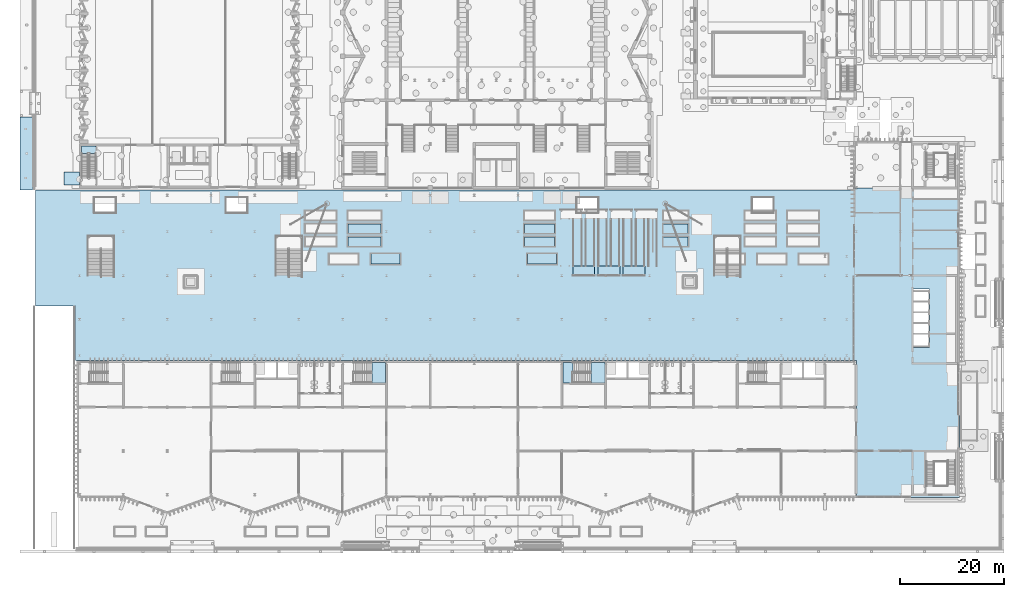
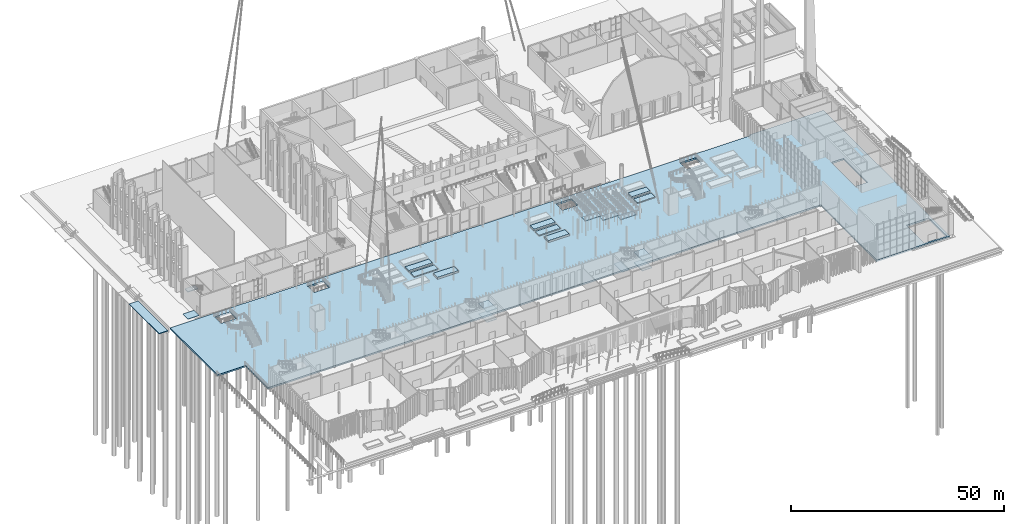
# One storey, part 46 of 108: 20 slabs, 3 elements without a shape of their own.
"""IFC4 building model written with IfcOpenShell, lengths in metres."""

from ifc_helpers import new_model, si_unit, direction, frame, origin, place, context, subcontext, project, spatial, polyline, outline, extrude, material, layer, layer_set, type_object, element, aggregate, save


model = new_model("IFC4")

# Units and contexts
model_context = context("Model", 3, precision=1e-05, world=origin(), true_north=direction((0.0, 1.0)))
body_context = subcontext(model_context, "Body", "Model", "MODEL_VIEW")
ifc_project = project(units=[si_unit("LENGTHUNIT", "METRE"), si_unit("AREAUNIT", "SQUARE_METRE"), si_unit("VOLUMEUNIT", "CUBIC_METRE"), si_unit("PLANEANGLEUNIT", "RADIAN"), si_unit("MASSUNIT", "GRAM", prefix="KILO")], contexts=[model_context])

# Site, building, storey
site_placement = place(None, origin())
site = spatial("IfcSite", under=ifc_project, at=site_placement, CompositionType="ELEMENT")
building_placement = place(site_placement, origin())
building = spatial("IfcBuilding", under=site, at=building_placement, Name="Cresset Court Congress Hotel", CompositionType="ELEMENT")
storey_placement = place(building_placement, origin())
storey = spatial("IfcBuildingStorey", under=building, at=storey_placement, Name="L00", CompositionType="ELEMENT", Elevation=0.0)

# Slabs
ifc_material_1 = material(Name="Concrete C35", Category="concrete")
ifc_layer_1 = layer(ifc_material_1, 0.199951171875)
ifc_layer_set_1 = layer_set([ifc_layer_1], Name="Exit apron slab 200 C35")
slab_type_1 = type_object("IfcSlabType", Name="Exit apron slab 200 C35", PredefinedType="BASESLAB", material=ifc_layer_set_1)
slab_1_placement = place(storey_placement, frame((0.0, 0.0, -0.199951171875)))
element("IfcSlab", 1, at=slab_1_placement, inside=storey, type_object=slab_type_1, Name="Exit apron", PredefinedType="BASESLAB", context=body_context, shape_type="SweptSolid", body=[
    extrude(outline(polyline([(5.39990234375, 59.39990234375), (8.39990234375, 59.39990234375), (8.39990234375, 61.800048828125), (5.39990234375, 61.800048828125), (5.39990234375, 59.39990234375)])), origin(), (0.0, 0.0, 1.0), 0.199951171875),
])
ifc_material_2 = material(Name="Concrete C35", Category="concrete")
ifc_layer_2 = layer(ifc_material_2, 0.20068359375)
ifc_layer_set_2 = layer_set([ifc_layer_2], Name="Landing slab 201")
slab_type_2 = type_object("IfcSlabType", Name="Landing slab 201", PredefinedType="LANDING", material=ifc_layer_set_2)
slab_2_placement = place(storey_placement, frame((0.0, 0.0, 4.29931640625)))
element("IfcSlab", 2, at=slab_2_placement, inside=storey, type_object=slab_type_2, Name="S.ramp.L01.D01.L3", PredefinedType="LANDING", context=body_context, shape_type="SweptSolid", body=[
    extrude(outline(polyline([(102.89990234375, 42.0), (107.10009765625, 42.0), (107.10009765625, 43.800048828125), (102.89990234375, 43.800048828125), (102.89990234375, 42.0)])), origin(), (0.0, 0.0, 1.0), 0.20068359375),
])
slab_3_placement = place(storey_placement, frame((0.0, 0.0, 2.79931640625)))
element("IfcSlab", 3, at=slab_3_placement, inside=storey, type_object=slab_type_2, Name="S.ramp.L01.D01.L5", PredefinedType="LANDING", context=body_context, shape_type="SweptSolid", body=[
    extrude(outline(polyline([(107.699951171875, 42.0), (111.89990234375, 42.0), (111.89990234375, 43.800048828125), (107.699951171875, 43.800048828125), (107.699951171875, 42.0)])), origin(), (0.0, 0.0, 1.0), 0.20068359375),
])
slab_4_placement = place(storey_placement, frame((0.0, 0.0, 1.29931640625)))
element("IfcSlab", 4, at=slab_4_placement, inside=storey, type_object=slab_type_2, Name="S.ramp.L01.D01.L7", PredefinedType="LANDING", context=body_context, shape_type="SweptSolid", body=[
    extrude(outline(polyline([(112.5, 42.0), (116.699951171875, 42.0), (116.699951171875, 43.800048828125), (112.5, 43.800048828125), (112.5, 42.0)])), origin(), (0.0, 0.0, 1.0), 0.20068359375),
])
ifc_material_3 = material(Name="Planting soil")
ifc_layer_3 = layer(ifc_material_3, 0.25)
ifc_layer_set_3 = layer_set([ifc_layer_3], Name="Planter soil 250")
slab_type_3 = type_object("IfcSlabType", Name="Planter soil 250", PredefinedType="FLOOR", material=ifc_layer_set_3)
slab_5_placement = place(storey_placement, origin())
element("IfcSlab", 5, at=slab_5_placement, inside=storey, type_object=slab_type_3, Name="Terrace planting bed 04", PredefinedType="FLOOR", context=body_context, shape_type="SweptSolid", body=[
    extrude(outline(polyline([(59.800048828125, 47.60009765625), (66.199951171875, 47.60009765625), (66.199951171875, 49.39990234375), (59.800048828125, 49.39990234375), (59.800048828125, 47.60009765625)])), origin(), (0.0, 0.0, 1.0), 0.25),
])
slab_6_placement = place(storey_placement, origin())
element("IfcSlab", 6, at=slab_6_placement, inside=storey, type_object=slab_type_3, Name="Terrace planting bed 07", PredefinedType="FLOOR", context=body_context, shape_type="SweptSolid", body=[
    extrude(outline(polyline([(93.60009765625, 47.60009765625), (99.39990234375, 47.60009765625), (99.39990234375, 49.39990234375), (93.60009765625, 49.39990234375), (93.60009765625, 47.60009765625)])), origin(), (0.0, 0.0, 1.0), 0.25),
])
slab_7_placement = place(storey_placement, origin())
element("IfcSlab", 7, at=slab_7_placement, inside=storey, type_object=slab_type_3, Name="Terrace planting bed 10", PredefinedType="FLOOR", context=body_context, shape_type="SweptSolid", body=[
    extrude(outline(polyline([(120.199951171875, 47.60009765625), (125.0, 47.60009765625), (125.0, 49.39990234375), (120.199951171875, 49.39990234375), (120.199951171875, 47.60009765625)])), origin(), (0.0, 0.0, 1.0), 0.25),
])
ifc_material_4 = material(Name="Planting soil")
ifc_layer_4 = layer(ifc_material_4, 0.449951171875)
ifc_layer_set_4 = layer_set([ifc_layer_4], Name="Planter soil 450")
slab_type_4 = type_object("IfcSlabType", Name="Planter soil 450", PredefinedType="FLOOR", material=ifc_layer_set_4)
slab_8_placement = place(storey_placement, origin())
element("IfcSlab", 8, at=slab_8_placement, inside=storey, type_object=slab_type_4, Name="Terrace planting bed 05", PredefinedType="FLOOR", context=body_context, shape_type="SweptSolid", body=[
    extrude(outline(polyline([(59.800048828125, 50.10009765625), (66.199951171875, 50.10009765625), (66.199951171875, 51.89990234375), (59.800048828125, 51.89990234375), (59.800048828125, 50.10009765625)])), origin(), (0.0, 0.0, 1.0), 0.449951171875),
])
slab_9_placement = place(storey_placement, origin())
element("IfcSlab", 9, at=slab_9_placement, inside=storey, type_object=slab_type_4, Name="Terrace planting bed 08", PredefinedType="FLOOR", context=body_context, shape_type="SweptSolid", body=[
    extrude(outline(polyline([(93.60009765625, 50.10009765625), (99.39990234375, 50.10009765625), (99.39990234375, 51.89990234375), (93.60009765625, 51.89990234375), (93.60009765625, 50.10009765625)])), origin(), (0.0, 0.0, 1.0), 0.449951171875),
])
slab_10_placement = place(storey_placement, origin())
element("IfcSlab", 10, at=slab_10_placement, inside=storey, type_object=slab_type_4, Name="Terrace planting bed 11", PredefinedType="FLOOR", context=body_context, shape_type="SweptSolid", body=[
    extrude(outline(polyline([(120.199951171875, 50.10009765625), (125.0, 50.10009765625), (125.0, 51.89990234375), (120.199951171875, 51.89990234375), (120.199951171875, 50.10009765625)])), origin(), (0.0, 0.0, 1.0), 0.449951171875),
])
ifc_material_5 = material(Name="Planting soil")
ifc_layer_5 = layer(ifc_material_5, 0.550048828125)
ifc_layer_set_5 = layer_set([ifc_layer_5], Name="Planter soil 550")
slab_type_5 = type_object("IfcSlabType", Name="Planter soil 550", PredefinedType="FLOOR", material=ifc_layer_set_5)
slab_11_placement = place(storey_placement, origin())
element("IfcSlab", 11, at=slab_11_placement, inside=storey, type_object=slab_type_5, Name="Planting bed 14", PredefinedType="FLOOR", context=body_context, shape_type="SweptSolid", body=[
    extrude(outline(polyline([(64.199951171875, 44.199951171875), (69.800048828125, 44.199951171875), (69.800048828125, 46.199951171875), (64.199951171875, 46.199951171875), (64.199951171875, 44.199951171875)])), origin(), (0.0, 0.0, 1.0), 0.550048828125),
])
slab_12_placement = place(storey_placement, origin())
element("IfcSlab", 12, at=slab_12_placement, inside=storey, type_object=slab_type_5, Name="Planting bed 15", PredefinedType="FLOOR", context=body_context, shape_type="SweptSolid", body=[
    extrude(outline(polyline([(94.199951171875, 44.199951171875), (99.800048828125, 44.199951171875), (99.800048828125, 46.199951171875), (94.199951171875, 46.199951171875), (94.199951171875, 44.199951171875)])), origin(), (0.0, 0.0, 1.0), 0.550048828125),
])
ifc_material_6 = material(Name="Concrete C40", Category="concrete")
ifc_layer_6 = layer(ifc_material_6, 0.449951171875)
ifc_layer_set_6 = layer_set([ifc_layer_6], Name="Podium slab 450")
slab_type_6 = type_object("IfcSlabType", Name="Podium slab 450", PredefinedType="FLOOR", material=ifc_layer_set_6)
slab_13_placement = place(storey_placement, frame((0.0, 0.0, -0.449951171875)))
element("IfcSlab", 13, at=slab_13_placement, inside=storey, type_object=slab_type_6, Name="S.slab.L00.podium", PredefinedType="FLOOR", context=body_context, shape_type="SweptSolid", body=[
    extrude(outline(polyline([(7.64990234375, 36.199951171875), (0.0, 36.199951171875), (0.0, 58.39990234375), (157.0, 58.39990234375), (157.0, 58.800048828125), (177.0, 58.800048828125), (177.0, -0.5), (157.199951171875, -0.5), (157.199951171875, 25.699951171875), (7.89990234375, 25.699951171875), (7.64990234375, 25.699951171875), (7.64990234375, 36.199951171875)]), holes=[polyline([(11.199951171875, 57.0), (15.39990234375, 57.0), (15.39990234375, 54.0), (11.199951171875, 54.0), (11.199951171875, 57.0)]), polyline([(36.39990234375, 57.0), (40.60009765625, 57.0), (40.60009765625, 54.0), (36.39990234375, 54.0), (36.39990234375, 57.0)]), polyline([(103.60009765625, 57.0), (107.800048828125, 57.0), (107.800048828125, 54.0), (103.60009765625, 54.0), (103.60009765625, 57.0)]), polyline([(137.199951171875, 57.0), (141.39990234375, 57.0), (141.39990234375, 54.0), (137.199951171875, 54.0), (137.199951171875, 57.0)]), polyline([(168.0, 39.39990234375), (171.25, 39.39990234375), (171.25, 28.199951171875), (168.0, 28.199951171875), (168.0, 39.39990234375)]), polyline([(170.39990234375, 0.0), (170.39990234375, 8.39990234375), (176.39990234375, 8.39990234375), (176.39990234375, 0.0), (170.39990234375, 0.0)])]), origin(), (0.0, 0.0, 1.0), 0.449951171875),
])

# Stair, slabs
ifc_material_7 = material(Name="Concrete C40", Category="concrete")
stair_type_1 = type_object("IfcStairType", Name="Dog-leg stair 1400 flights", PredefinedType="HALF_TURN_STAIR", material=ifc_material_7)
stair_1_placement = place(storey_placement, origin())
stair_1 = element("IfcStair", 14, at=stair_1_placement, inside=storey, type_object=stair_type_1, Name="L00 Stair ST-B3", PredefinedType="HALF_TURN_STAIR")
ifc_material_8 = material(Name="Concrete C40", Category="concrete")
ifc_layer_7 = layer(ifc_material_8, 0.199951171875)
ifc_layer_set_7 = layer_set([ifc_layer_7], Name="Stair landing 200")
slab_type_7 = type_object("IfcSlabType", Name="Stair landing 200", PredefinedType="LANDING", material=ifc_layer_set_7)
slab_14_placement = place(storey_placement, frame((0.0, 0.0, 1.300048828125)))
slab_14 = element("IfcSlab", 15, at=slab_14_placement, type_object=slab_type_7, Name="ST-B3 landing 1", PredefinedType="LANDING", context=body_context, shape_type="SweptSolid", body=[
    extrude(outline(polyline([(64.39990234375, 21.449951171875), (67.050048828125, 21.449951171875), (67.050048828125, 25.39990234375), (64.39990234375, 25.39990234375), (64.39990234375, 21.449951171875)])), origin(), (0.0, 0.0, 1.0), 0.199951171875),
])
slab_15_placement = place(storey_placement, frame((0.0, 0.0, 4.300048828125)))
slab_15 = element("IfcSlab", 16, at=slab_15_placement, type_object=slab_type_7, Name="ST-B3 landing 3", PredefinedType="LANDING", context=body_context, shape_type="SweptSolid", body=[
    extrude(outline(polyline([(64.39990234375, 21.449951171875), (67.050048828125, 21.449951171875), (67.050048828125, 25.39990234375), (64.39990234375, 25.39990234375), (64.39990234375, 21.449951171875)])), origin(), (0.0, 0.0, 1.0), 0.199951171875),
])
aggregate(stair_1, [slab_14, slab_15])

stair_2_placement = place(storey_placement, origin())
stair_2 = element("IfcStair", 17, at=stair_2_placement, inside=storey, type_object=stair_type_1, Name="L00 Stair ST-B4", PredefinedType="HALF_TURN_STAIR")
slab_16_placement = place(storey_placement, frame((0.0, 0.0, 1.300048828125)))
slab_16 = element("IfcSlab", 18, at=slab_16_placement, type_object=slab_type_7, Name="ST-B4 landing 1", PredefinedType="LANDING", context=body_context, shape_type="SweptSolid", body=[
    extrude(outline(polyline([(106.39990234375, 21.449951171875), (109.050048828125, 21.449951171875), (109.050048828125, 25.39990234375), (106.39990234375, 25.39990234375), (106.39990234375, 21.449951171875)])), origin(), (0.0, 0.0, 1.0), 0.199951171875),
])
slab_17_placement = place(storey_placement, frame((0.0, 0.0, 2.800048828125)))
slab_17 = element("IfcSlab", 19, at=slab_17_placement, type_object=slab_type_7, Name="ST-B4 landing 2", PredefinedType="LANDING", context=body_context, shape_type="SweptSolid", body=[
    extrude(outline(polyline([(101.0, 21.449951171875), (102.89990234375, 21.449951171875), (102.89990234375, 25.39990234375), (101.0, 25.39990234375), (101.0, 21.449951171875)])), origin(), (0.0, 0.0, 1.0), 0.199951171875),
])
slab_18_placement = place(storey_placement, frame((0.0, 0.0, 4.300048828125)))
slab_18 = element("IfcSlab", 20, at=slab_18_placement, type_object=slab_type_7, Name="ST-B4 landing 3", PredefinedType="LANDING", context=body_context, shape_type="SweptSolid", body=[
    extrude(outline(polyline([(106.39990234375, 21.449951171875), (109.050048828125, 21.449951171875), (109.050048828125, 25.39990234375), (106.39990234375, 25.39990234375), (106.39990234375, 21.449951171875)])), origin(), (0.0, 0.0, 1.0), 0.199951171875),
])
aggregate(stair_2, [slab_16, slab_17, slab_18])

# Stair, slab
ifc_material_9 = material(Name="Half-turn stair 1300")
stair_type_2 = type_object("IfcStairType", Name="Half-turn stair 1300", PredefinedType="HALF_TURN_STAIR", material=ifc_material_9)
stair_3_placement = place(storey_placement, origin())
stair_3 = element("IfcStair", 21, at=stair_3_placement, inside=storey, type_object=stair_type_2, Name="L00 stair", PredefinedType="HALF_TURN_STAIR")
ifc_material_10 = material(Name="Concrete C35", Category="concrete")
ifc_layer_8 = layer(ifc_material_10, 0.199951171875)
ifc_layer_set_8 = layer_set([ifc_layer_8], Name="Stair landing 200 C35")
slab_type_8 = type_object("IfcSlabType", Name="Stair landing 200 C35", PredefinedType="LANDING", material=ifc_layer_set_8)
slab_19_placement = place(storey_placement, frame((0.0, 0.0, 2.800048828125)))
slab_19 = element("IfcSlab", 22, at=slab_19_placement, type_object=slab_type_8, Name="ST-D1 landing 1", PredefinedType="LANDING", context=body_context, shape_type="SweptSolid", body=[
    extrude(outline(polyline([(11.550048828125, 65.3798828125), (11.550048828125, 66.800048828125), (8.800048828125, 66.800048828125), (8.800048828125, 65.3798828125), (11.550048828125, 65.3798828125)])), origin(), (0.0, 0.0, 1.0), 0.199951171875),
])
aggregate(stair_3, [slab_19])

# Slab
ifc_material_11 = material(Name="Concrete C35", Category="concrete")
ifc_layer_9 = layer(ifc_material_11, 0.199951171875)
ifc_layer_set_9 = layer_set([ifc_layer_9], Name="Street apron slab 200")
slab_type_9 = type_object("IfcSlabType", Name="Street apron slab 200", PredefinedType="FLOOR", material=ifc_layer_set_9)
slab_20_placement = place(storey_placement, frame((0.0, 0.0, -0.800048828125)))
element("IfcSlab", 23, at=slab_20_placement, inside=storey, type_object=slab_type_9, Name="Street apron W01", PredefinedType="FLOOR", context=body_context, shape_type="SweptSolid", body=[
    extrude(outline(polyline([(-2.998046875, 58.39990234375), (-0.60009765625, 58.39990234375), (-0.60009765625, 72.39990234375), (-2.998046875, 72.39990234375), (-2.998046875, 58.39990234375)])), origin(), (0.0, 0.0, 1.0), 0.199951171875),
])

save(model, "model.ifc")
